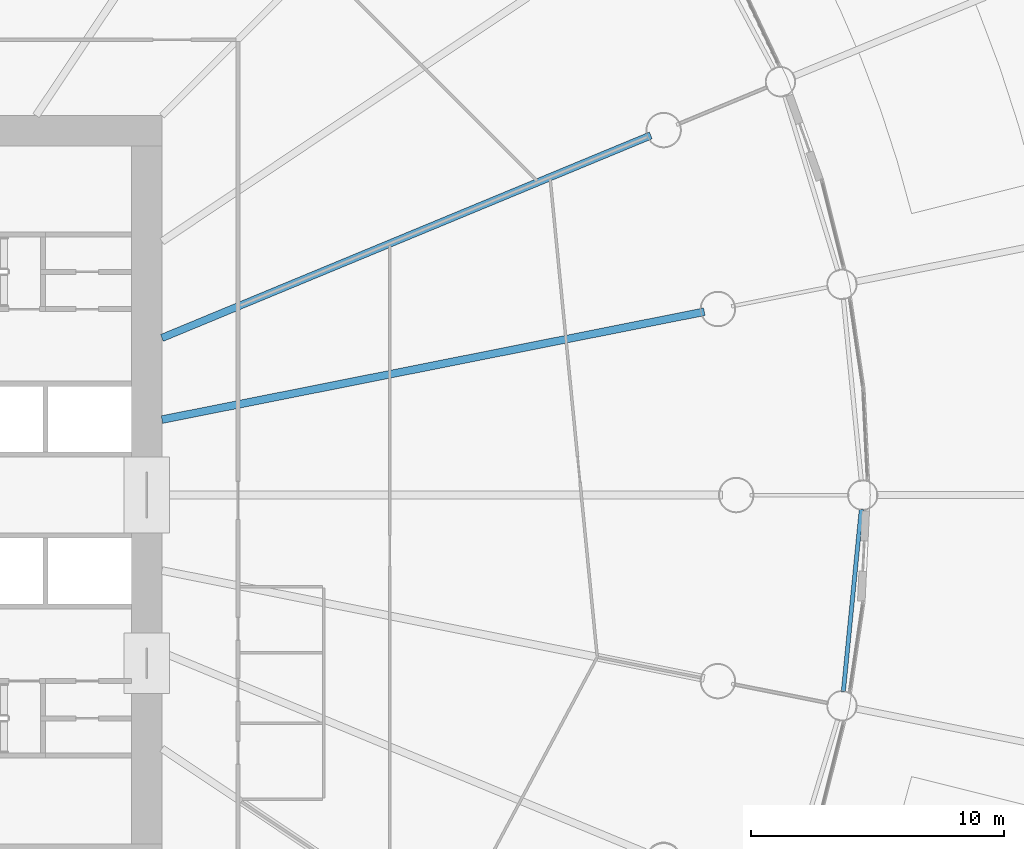
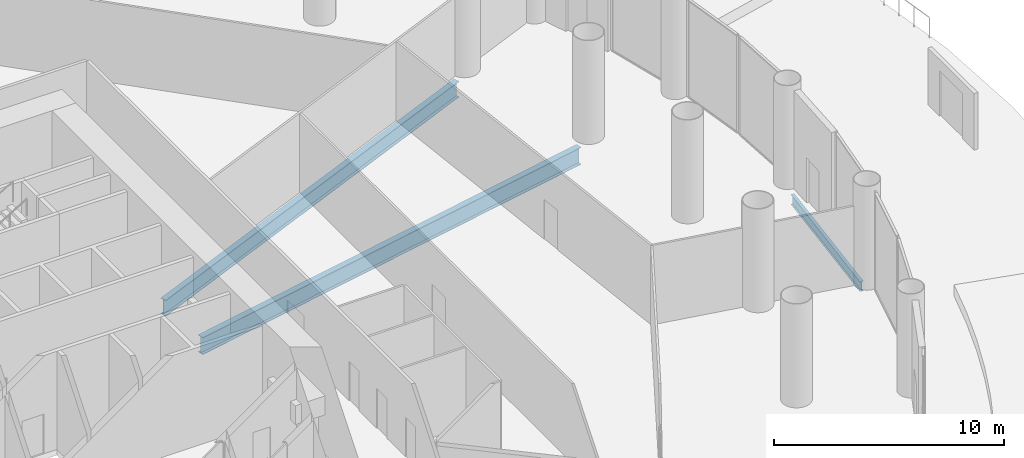
# One storey, part 15 of 36: 3 beams.
"""IFC4 building model written with IfcOpenShell, lengths in metres."""

from ifc_helpers import new_model, si_unit, direction, frame, origin, origin_2d, place, context, subcontext, project, spatial, i_section, extrude, material, material_profile, profile_set, type_object, element, save


model = new_model("IFC4")

# Units and contexts
model_context = context("Model", 3, precision=1e-05, world=origin(), true_north=direction((0.0, 1.0)))
body_context = subcontext(model_context, "Body", "Model", "MODEL_VIEW")
ifc_project = project(units=[si_unit("LENGTHUNIT", "METRE"), si_unit("AREAUNIT", "SQUARE_METRE"), si_unit("VOLUMEUNIT", "CUBIC_METRE"), si_unit("PLANEANGLEUNIT", "RADIAN"), si_unit("MASSUNIT", "GRAM", prefix="KILO")], contexts=[model_context])

# Site, building, storey
site_placement = place(None, origin())
site = spatial("IfcSite", under=ifc_project, at=site_placement, CompositionType="ELEMENT")
building_placement = place(site_placement, origin())
building = spatial("IfcBuilding", under=site, at=building_placement, Name="Corvane Civic Tower", CompositionType="ELEMENT")
storey_placement = place(building_placement, frame((0.0, 0.0, 6.0)))
storey = spatial("IfcBuildingStorey", under=building, at=storey_placement, Name="L01", CompositionType="ELEMENT", Elevation=6.0)

# Beams
ifc_material_1 = material(Name="Steel ASTM A992 Gr 50", Category="steel")
ifc_material_profile_1 = material_profile(ifc_material_1, i_section(OverallWidth=0.165771484375, OverallDepth=0.5283203125, WebThickness=0.009765625, FlangeThickness=0.013671875, at=origin_2d()), Name="W21X50")
ifc_profile_set_1 = profile_set([ifc_material_profile_1], Name="Steel ASTM A992 Gr 50")
beam_type_1 = type_object("IfcBeamType", Name="EDGE BEAM W21X50", PredefinedType="BEAM", material=ifc_profile_set_1)
beam_1_placement = place(storey_placement, frame((42.64599609375, -0.54736328125, -0.564208984375), z_axis=(-0.097984225478, -0.995187967953, 0.0), x_axis=(0.995187967953, -0.097984225478, 0.0)))
element("IfcBeam", 1, at=beam_1_placement, inside=storey, type_object=beam_type_1, Name="BM-L01-E09", PredefinedType="BEAM", context=body_context, shape_type="SweptSolid", body=[
    extrude(i_section(OverallWidth=0.165771484375, OverallDepth=0.5283203125, WebThickness=0.009765625, FlangeThickness=0.013671875, at=origin_2d()), origin(), (0.0, 0.0, 1.0), 7.2705078125),
])
ifc_material_2 = material(Name="Steel ASTM A992 Gr 50", Category="steel")
ifc_material_profile_2 = material_profile(ifc_material_2, i_section(OverallWidth=0.2919921875, OverallDepth=0.845703125, WebThickness=0.015380859375, FlangeThickness=0.0244140625, at=origin_2d()), Name="W33X141")
ifc_profile_set_2 = profile_set([ifc_material_profile_2], Name="Steel ASTM A992 Gr 50")
beam_type_2 = type_object("IfcBeamType", Name="FLOOR GIRDER W33X141", PredefinedType="BEAM", material=ifc_profile_set_2)
beam_2_placement = place(storey_placement, frame((15.0, 6.213134765625, -0.722900390625), z_axis=(0.923875834355, 0.382692360381, 0.0), x_axis=(-0.382692360381, 0.923875834355, 0.0)))
element("IfcBeam", 2, at=beam_2_placement, inside=storey, type_object=beam_type_2, Name="BM-L01-G07", PredefinedType="BEAM", context=body_context, shape_type="SweptSolid", body=[
    extrude(i_section(OverallWidth=0.2919921875, OverallDepth=0.845703125, WebThickness=0.015380859375, FlangeThickness=0.0244140625, at=origin_2d()), origin(), (0.0, 0.0, 1.0), 20.9140625),
])
ifc_material_3 = material(Name="Steel ASTM A992 Gr 50", Category="steel")
ifc_material_profile_3 = material_profile(ifc_material_3, i_section(OverallWidth=0.3046875, OverallDepth=0.911865234375, WebThickness=0.015869140625, FlangeThickness=0.02392578125, at=origin_2d()), Name="W36X150")
ifc_profile_set_3 = profile_set([ifc_material_profile_3], Name="Steel ASTM A992 Gr 50")
beam_type_3 = type_object("IfcBeamType", Name="FLOOR GIRDER W36X150", PredefinedType="BEAM", material=ifc_profile_set_3)
beam_3_placement = place(storey_placement, frame((15.0, 2.983642578125, -0.755859375), z_axis=(0.980785499679, 0.195089219638, 0.0), x_axis=(-0.195089219638, 0.980785499679, 0.0)))
element("IfcBeam", 3, at=beam_3_placement, inside=storey, type_object=beam_type_3, Name="BM-L01-G08", PredefinedType="BEAM", context=body_context, shape_type="SweptSolid", body=[
    extrude(i_section(OverallWidth=0.3046875, OverallDepth=0.911865234375, WebThickness=0.015869140625, FlangeThickness=0.02392578125, at=origin_2d()), origin(), (0.0, 0.0, 1.0), 21.856201171875),
])

save(model, "model.ifc")
